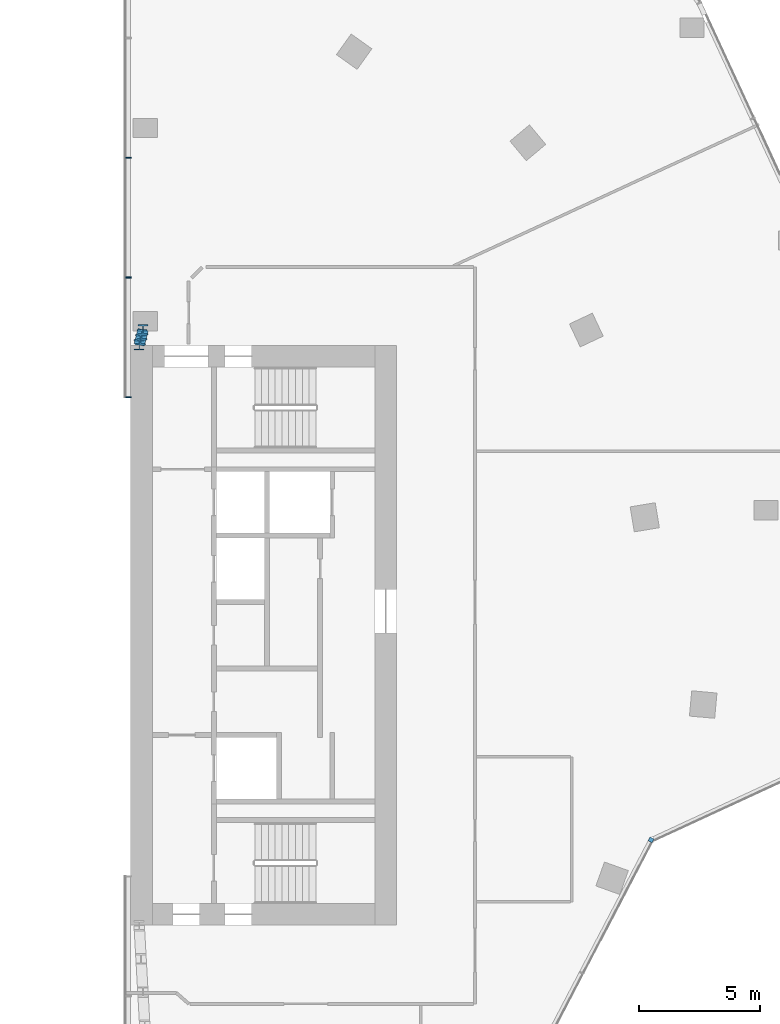
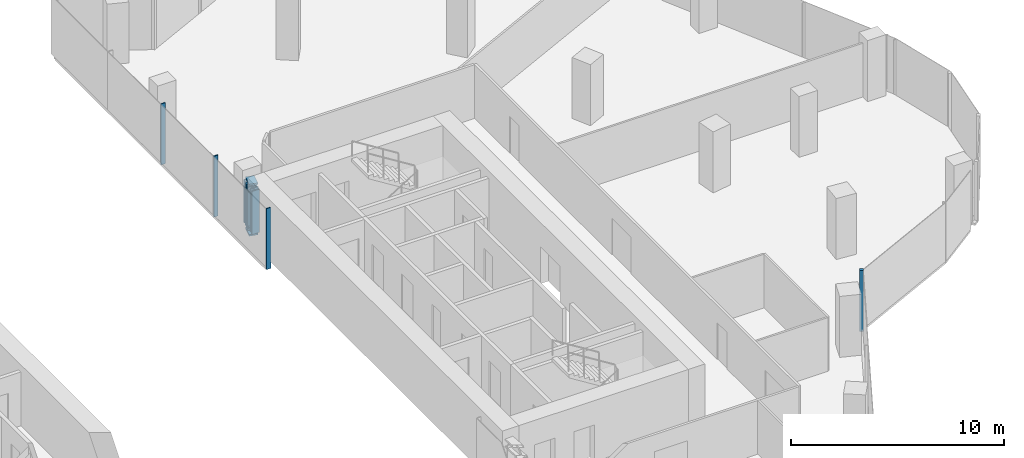
# One storey, part 7 of 23: 10 members, 2 elements without a shape of their own.
"""IFC4 building model written with IfcOpenShell, lengths in metres."""

from ifc_helpers import new_model, si_unit, direction, frame, origin, origin_2d, place, context, subcontext, project, spatial, rectangle, i_section, extrude, material, material_profile, profile_set, type_object, element, aggregate, save


model = new_model("IFC4")

# Units and contexts
model_context = context("Model", 3, precision=1e-05, world=origin(), true_north=direction((0.0, 1.0)))
body_context = subcontext(model_context, "Body", "Model", "MODEL_VIEW")
ifc_project = project(units=[si_unit("LENGTHUNIT", "METRE"), si_unit("AREAUNIT", "SQUARE_METRE"), si_unit("VOLUMEUNIT", "CUBIC_METRE"), si_unit("PLANEANGLEUNIT", "RADIAN"), si_unit("MASSUNIT", "GRAM", prefix="KILO")], contexts=[model_context])

# Site, building, storey
site_placement = place(None, origin())
site = spatial("IfcSite", under=ifc_project, at=site_placement, CompositionType="ELEMENT")
building_placement = place(site_placement, origin())
building = spatial("IfcBuilding", under=site, at=building_placement, Name="Orlundy Tower", CompositionType="ELEMENT")
storey_placement = place(building_placement, frame((0.0, 0.0, 264.0)))
storey = spatial("IfcBuildingStorey", under=building, at=storey_placement, Name="L70", CompositionType="ELEMENT", Elevation=264.0)

# Curtain wall, member
ifc_material_1 = material(Name="Aluminium bronze anodised", Category="aluminium")
curtain_wall_type = type_object("IfcCurtainWallType", Name="CW1 wall", PredefinedType="NOTDEFINED", material=ifc_material_1)
curtain_wall_1_placement = place(storey_placement, origin())
curtain_wall_1 = element("IfcCurtainWall", 1, at=curtain_wall_1_placement, inside=storey, type_object=curtain_wall_type, Name="CW1 run 111", PredefinedType="NOTDEFINED")
ifc_material_2 = material(Name="Aluminium bronze anodised", Category="aluminium")
ifc_material_profile_1 = material_profile(ifc_material_2, rectangle(XDim=0.179931640625, YDim=0.179931640625, at=origin_2d()), Name="CW1 corner post 180x180")
ifc_profile_set_1 = profile_set([ifc_material_profile_1], Name="Aluminium bronze anodised")
member_type_1 = type_object("IfcMemberType", Name="CW1 corner post 180x180", PredefinedType="MULLION", material=ifc_profile_set_1)
member_1_placement = place(storey_placement, frame((29.534423828125, -8.46875, -0.39990234375), z_axis=(0.0, 0.0, 1.0), x_axis=(0.885660617608, -0.464333145939, 0.0)))
member_1 = element("IfcMember", 2, at=member_1_placement, type_object=member_type_1, Name="CW1 mullion 16", PredefinedType="MULLION", context=body_context, shape_type="SweptSolid", body=[
    extrude(rectangle(XDim=0.179931640625, YDim=0.179931640625, at=origin_2d()), origin(), (0.0, 0.0, 1.0), 3.5),
])
aggregate(curtain_wall_1, [member_1])

# Curtain wall, members
curtain_wall_2_placement = place(storey_placement, origin())
curtain_wall_2 = element("IfcCurtainWall", 3, at=curtain_wall_2_placement, inside=storey, type_object=curtain_wall_type, Name="CW1 run 118", PredefinedType="NOTDEFINED")
ifc_material_3 = material(Name="Aluminium bronze anodised", Category="aluminium")
ifc_material_profile_2 = material_profile(ifc_material_3, rectangle(XDim=0.239990234375, YDim=0.050048828125, at=origin_2d()), Name="CW6 mullion 50x240")
ifc_profile_set_2 = profile_set([ifc_material_profile_2], Name="Aluminium bronze anodised")
member_type_2 = type_object("IfcMemberType", Name="CW6 mullion 50x240", PredefinedType="MULLION", material=ifc_profile_set_2)
member_2_placement = place(storey_placement, frame((7.909912109375, 9.8515625, -0.39990234375), z_axis=(0.0, 0.0, 1.0), x_axis=(-1.0, 0.0, 0.0)))
member_2 = element("IfcMember", 4, at=member_2_placement, type_object=member_type_2, Name="CW6 mullion 36", PredefinedType="MULLION", context=body_context, shape_type="SweptSolid", body=[
    extrude(rectangle(XDim=0.239990234375, YDim=0.050048828125, at=origin_2d()), origin(), (0.0, 0.0, 1.0), 3.5),
])
member_3_placement = place(storey_placement, frame((7.909912109375, 14.808349609375, -0.39990234375), z_axis=(0.0, 0.0, 1.0), x_axis=(-1.0, 0.0, 0.0)))
member_3 = element("IfcMember", 5, at=member_3_placement, type_object=member_type_2, Name="CW6 mullion 37", PredefinedType="MULLION", context=body_context, shape_type="SweptSolid", body=[
    extrude(rectangle(XDim=0.239990234375, YDim=0.050048828125, at=origin_2d()), origin(), (0.0, 0.0, 1.0), 3.5),
])
member_4_placement = place(storey_placement, frame((7.909912109375, 19.765380859375, -0.39990234375), z_axis=(0.0, 0.0, 1.0), x_axis=(-1.0, 0.0, 0.0)))
member_4 = element("IfcMember", 6, at=member_4_placement, type_object=member_type_2, Name="CW6 mullion 38", PredefinedType="MULLION", context=body_context, shape_type="SweptSolid", body=[
    extrude(rectangle(XDim=0.239990234375, YDim=0.050048828125, at=origin_2d()), origin(), (0.0, 0.0, 1.0), 3.5),
])
aggregate(curtain_wall_2, [member_2, member_3, member_4])

# Members
ifc_material_4 = material(Name="Steel ASTM A992 Gr 50", Category="steel")
ifc_material_profile_3 = material_profile(ifc_material_4, i_section(OverallWidth=0.43212890625, OverallDepth=0.497802734375, WebThickness=0.0556640625, FlangeThickness=0.0888671875, at=origin_2d()), Name="W14X500")
ifc_profile_set_3 = profile_set([ifc_material_profile_3], Name="Steel ASTM A992 Gr 50")
member_type_3 = type_object("IfcMemberType", Name="PORTAL EDGE TRUSS chord W14X500", PredefinedType="CHORD", material=ifc_profile_set_3)
for number, where, z_axis, x_axis, name in (
    (7, (8.35009765625, 12.02001953125, 0.28466796875), (0.247031311842, 0.969007497891, 0.0), (-0.969007497891, 0.247031311842, 0.0), "Portal edge truss bottom chord PE-EN"),
    (8, (8.35009765625, 12.02001953125, 2.765380859375), (0.247031311842, 0.969007497891, 0.0), (-0.969007497891, 0.247031311842, 0.0), "Portal edge truss top chord PE-EN"),
):
    element("IfcMember", number, at=place(storey_placement, frame(where, z_axis=z_axis, x_axis=x_axis)), inside=storey, type_object=member_type_3, Name=name, PredefinedType="CHORD", context=body_context, shape_type="SweptSolid", body=[
        extrude(i_section(OverallWidth=0.43212890625, OverallDepth=0.497802734375, WebThickness=0.0556640625, FlangeThickness=0.0888671875, at=origin_2d()), origin(), (0.0, 0.0, 1.0), 0.6513671875),
    ])
ifc_material_5 = material(Name="Steel ASTM A992 Gr 50", Category="steel")
ifc_material_profile_4 = material_profile(ifc_material_5, i_section(OverallWidth=0.412109375, OverallDepth=0.434814453125, WebThickness=0.035888671875, FlangeThickness=0.057373046875, at=origin_2d()), Name="W14X311")
ifc_profile_set_4 = profile_set([ifc_material_profile_4], Name="Steel ASTM A992 Gr 50")
member_type_4 = type_object("IfcMemberType", Name="PORTAL EDGE TRUSS post W14X311", PredefinedType="POST", material=ifc_profile_set_4)
for number, where, z_axis, x_axis, name in (
    (9, (8.35009765625, 12.02001953125, 0.28466796875), (0.0, 0.0, 1.0), (1.0, 0.0, 0.0), "Portal edge truss post PE-EN-0"),
    (10, (8.40380859375, 12.23046875, 0.28466796875), (0.0, 0.0, 1.0), (1.0, 0.0, 0.0), "Portal edge truss post PE-EN-1"),
    (11, (8.457275390625, 12.44091796875, 0.28466796875), (0.0, 0.0, 1.0), (1.0, 0.0, 0.0), "Portal edge truss post PE-EN-2"),
    (12, (8.510986328125, 12.651123046875, 0.28466796875), (0.0, 0.0, 1.0), (1.0, 0.0, 0.0), "Portal edge truss post PE-EN-3"),
):
    element("IfcMember", number, at=place(storey_placement, frame(where, z_axis=z_axis, x_axis=x_axis)), inside=storey, type_object=member_type_4, Name=name, PredefinedType="POST", context=body_context, shape_type="SweptSolid", body=[
        extrude(i_section(OverallWidth=0.412109375, OverallDepth=0.434814453125, WebThickness=0.035888671875, FlangeThickness=0.057373046875, at=origin_2d()), origin(), (0.0, 0.0, 1.0), 2.480712890625),
    ])

save(model, "model.ifc")
